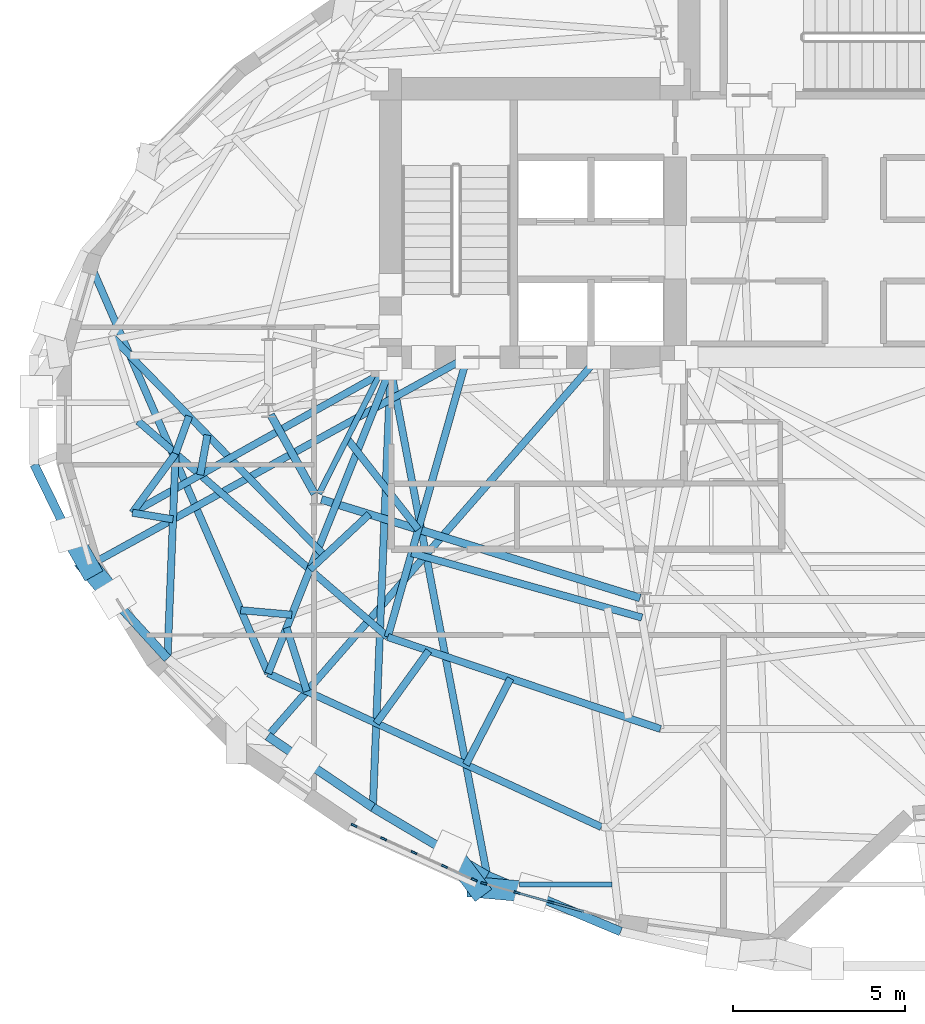
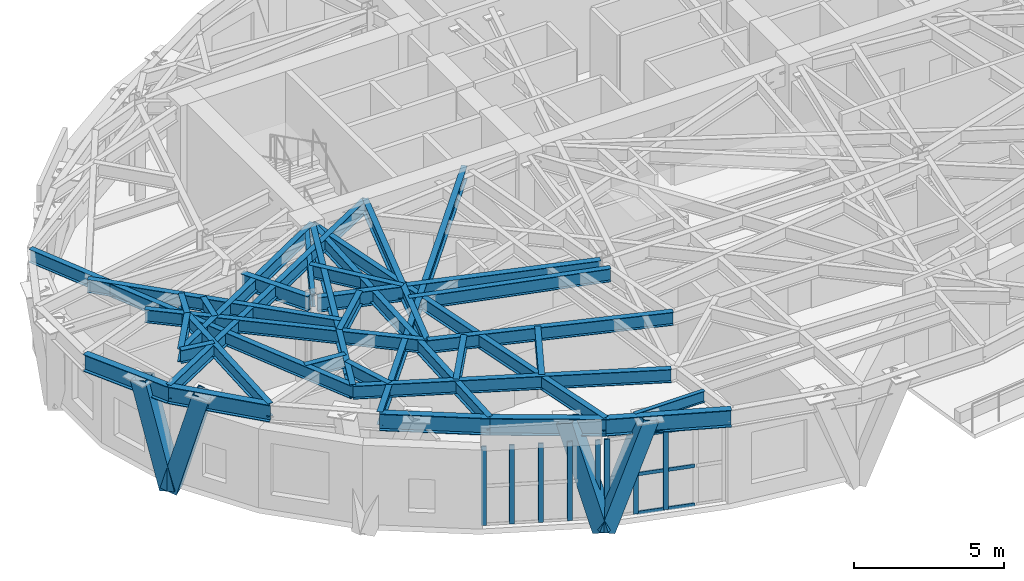
# One storey, part 2 of 15: 33 beams, 18 members, 2 elements without a shape of their own.
"""IFC4 building model written with IfcOpenShell, lengths in metres."""

from ifc_helpers import new_model, si_unit, direction, frame, origin, origin_2d, place, context, subcontext, project, spatial, rectangle, hollow_rectangle, i_section, extrude, material, layer, layer_set, material_profile, profile_set, type_object, element, aggregate, save


model = new_model("IFC4")

# Units and contexts
model_context = context("Model", 3, precision=1e-05, world=origin(), true_north=direction((0.0, 1.0)))
body_context = subcontext(model_context, "Body", "Model", "MODEL_VIEW")
ifc_project = project(units=[si_unit("LENGTHUNIT", "METRE"), si_unit("AREAUNIT", "SQUARE_METRE"), si_unit("VOLUMEUNIT", "CUBIC_METRE"), si_unit("PLANEANGLEUNIT", "RADIAN"), si_unit("MASSUNIT", "GRAM", prefix="KILO")], contexts=[model_context])

# Site, building, storey
site_placement = place(None, origin())
site = spatial("IfcSite", under=ifc_project, at=site_placement, CompositionType="ELEMENT")
building_placement = place(site_placement, origin())
building = spatial("IfcBuilding", under=site, at=building_placement, Name="Keldmark Tower", CompositionType="ELEMENT")
storey_placement = place(building_placement, frame((0.0, 0.0, 205.89990234375)))
storey = spatial("IfcBuildingStorey", under=building, at=storey_placement, Name="L57", CompositionType="ELEMENT", Elevation=205.89990234375)

# Beam
ifc_material_1 = material(Name="Steel ASTM A992 Grade 50", Category="steel")
ifc_material_profile_1 = material_profile(ifc_material_1, i_section(OverallWidth=0.153076171875, OverallDepth=0.455078125, WebThickness=0.008056640625, FlangeThickness=0.01318359375, at=origin_2d()), Name="W18X40")
ifc_profile_set_1 = profile_set([ifc_material_profile_1], Name="Steel ASTM A992 Grade 50")
beam_type_1 = type_object("IfcBeamType", Name="Composite Floor Joist W18X40", PredefinedType="JOIST", material=ifc_profile_set_1)
beam_1_placement = place(storey_placement, frame((-9.725830078125, -13.800048828125, 3.692626953125), z_axis=(1.0, 0.0, 0.0), x_axis=(0.0, 1.0, 0.0)))
element("IfcBeam", 1, at=beam_1_placement, inside=storey, type_object=beam_type_1, Name="L57 Composite Floor Joist J01", PredefinedType="JOIST", context=body_context, shape_type="SweptSolid", body=[
    extrude(i_section(OverallWidth=0.153076171875, OverallDepth=0.455078125, WebThickness=0.008056640625, FlangeThickness=0.01318359375, at=origin_2d()), origin(), (0.0, 0.0, 1.0), 2.688232421875),
])

# Curtain wall, members
ifc_material_2 = material(Name="Unitized Thermally Broken Aluminum and Triple Low-E Glazing", Category="aluminium")
ifc_layer = layer(ifc_material_2, 0.219970703125)
ifc_layer_set = layer_set([ifc_layer], Name="Unitized Thermally Broken Aluminum and Triple Low-E Glazing")
curtain_wall_type = type_object("IfcCurtainWallType", Name="Sky Lobby Amenity Curtain Wall System", PredefinedType="NOTDEFINED", material=ifc_layer_set)
curtain_wall_1_placement = place(storey_placement, origin())
curtain_wall_1 = element("IfcCurtainWall", 2, at=curtain_wall_1_placement, inside=storey, type_object=curtain_wall_type, Name="L57 Sky Lobby Amenity Curtain Wall System CW-L57-22", PredefinedType="NOTDEFINED")
ifc_material_3 = material(Name="Extruded Aluminum Alloy 6063-T6", Category="aluminium")
ifc_material_profile_2 = material_profile(ifc_material_3, rectangle(XDim=0.06005859375, YDim=0.139892578125, at=origin_2d()), Name="CWT60X140")
ifc_profile_set_2 = profile_set([ifc_material_profile_2], Name="Extruded Aluminum Alloy 6063-T6")
member_type_1 = type_object("IfcMemberType", Name="Curtain Wall Horizontal Transom 60x140", PredefinedType="USERDEFINED", material=ifc_profile_set_2)
member_1_placement = place(storey_placement, frame((-7.85546875, -14.58447265625, 0.030029296875), z_axis=(-0.962716803513, 0.270511286702, 0.0), x_axis=(-0.270511286702, -0.962716803513, 0.0)))
member_1 = element("IfcMember", 3, at=member_1_placement, type_object=member_type_1, Name="CW transom 2.1", ObjectType="TRANSOM", PredefinedType="USERDEFINED", context=body_context, shape_type="SweptSolid", body=[
    extrude(rectangle(XDim=0.06005859375, YDim=0.139892578125, at=origin_2d()), origin(), (0.0, 0.0, 1.0), 0.965576171875),
])
member_2_placement = place(storey_placement, frame((-7.85546875, -14.58447265625, 1.607666015625), z_axis=(-0.962716803513, 0.270511286702, 0.0), x_axis=(-0.270511286702, -0.962716803513, 0.0)))
member_2 = element("IfcMember", 4, at=member_2_placement, type_object=member_type_1, Name="CW transom 2.2", ObjectType="TRANSOM", PredefinedType="USERDEFINED", context=body_context, shape_type="SweptSolid", body=[
    extrude(rectangle(XDim=0.06005859375, YDim=0.139892578125, at=origin_2d()), origin(), (0.0, 0.0, 1.0), 0.965576171875),
])
member_3_placement = place(storey_placement, frame((-7.85546875, -14.58447265625, 3.18505859375), z_axis=(-0.962716803513, 0.270511286702, 0.0), x_axis=(-0.270511286702, -0.962716803513, 0.0)))
member_3 = element("IfcMember", 5, at=member_3_placement, type_object=member_type_1, Name="CW transom 2.3", ObjectType="TRANSOM", PredefinedType="USERDEFINED", context=body_context, shape_type="SweptSolid", body=[
    extrude(rectangle(XDim=0.06005859375, YDim=0.139892578125, at=origin_2d()), origin(), (0.0, 0.0, 1.0), 0.965576171875),
])
member_4_placement = place(storey_placement, frame((-8.843017578125, -14.30712890625, 0.030029296875), z_axis=(-0.962716803513, 0.270511286702, 0.0), x_axis=(-0.270511286702, -0.962716803513, 0.0)))
member_4 = element("IfcMember", 6, at=member_4_placement, type_object=member_type_1, Name="CW transom 3.1", ObjectType="TRANSOM", PredefinedType="USERDEFINED", context=body_context, shape_type="SweptSolid", body=[
    extrude(rectangle(XDim=0.06005859375, YDim=0.139892578125, at=origin_2d()), origin(), (0.0, 0.0, 1.0), 0.965576171875),
])
member_5_placement = place(storey_placement, frame((-8.843017578125, -14.30712890625, 1.607666015625), z_axis=(-0.962716803513, 0.270511286702, 0.0), x_axis=(-0.270511286702, -0.962716803513, 0.0)))
member_5 = element("IfcMember", 7, at=member_5_placement, type_object=member_type_1, Name="CW transom 3.2", ObjectType="TRANSOM", PredefinedType="USERDEFINED", context=body_context, shape_type="SweptSolid", body=[
    extrude(rectangle(XDim=0.06005859375, YDim=0.139892578125, at=origin_2d()), origin(), (0.0, 0.0, 1.0), 0.965576171875),
])
member_6_placement = place(storey_placement, frame((-8.843017578125, -14.30712890625, 3.18505859375), z_axis=(-0.962716803513, 0.270511286702, 0.0), x_axis=(-0.270511286702, -0.962716803513, 0.0)))
member_6 = element("IfcMember", 8, at=member_6_placement, type_object=member_type_1, Name="CW transom 3.3", ObjectType="TRANSOM", PredefinedType="USERDEFINED", context=body_context, shape_type="SweptSolid", body=[
    extrude(rectangle(XDim=0.06005859375, YDim=0.139892578125, at=origin_2d()), origin(), (0.0, 0.0, 1.0), 0.965576171875),
])

curtain_wall_2_placement = place(storey_placement, origin())
curtain_wall_2 = element("IfcCurtainWall", 9, at=curtain_wall_2_placement, inside=storey, type_object=curtain_wall_type, Name="L57 Sky Lobby Amenity Curtain Wall System CW-L57-21", PredefinedType="NOTDEFINED")
ifc_material_4 = material(Name="Extruded Aluminum Alloy 6063-T6", Category="aluminium")
ifc_material_profile_3 = material_profile(ifc_material_4, rectangle(XDim=0.06005859375, YDim=0.179931640625, at=origin_2d()), Name="CWM60X180")
ifc_profile_set_3 = profile_set([ifc_material_profile_3], Name="Extruded Aluminum Alloy 6063-T6")
member_type_2 = type_object("IfcMemberType", Name="Curtain Wall Structural Mullion 60x180", PredefinedType="MULLION", material=ifc_profile_set_3)
member_7_placement = place(storey_placement, frame((-11.047607421875, -13.663818359375, 0.0), z_axis=(0.0, 0.0, 1.0), x_axis=(-0.412692715658, -0.910870310441, 0.0)))
member_7 = element("IfcMember", 10, at=member_7_placement, type_object=member_type_2, Name="CW mullion 1", PredefinedType="MULLION", context=body_context, shape_type="SweptSolid", body=[
    extrude(rectangle(XDim=0.06005859375, YDim=0.179931640625, at=origin_2d()), origin(), (0.0, 0.0, 1.0), 3.215087890625),
])
member_8_placement = place(storey_placement, frame((-11.906005859375, -13.27490234375, 0.0), z_axis=(0.0, 0.0, 1.0), x_axis=(-0.412692715658, -0.910870310441, 0.0)))
member_8 = element("IfcMember", 11, at=member_8_placement, type_object=member_type_2, Name="CW mullion 2", PredefinedType="MULLION", context=body_context, shape_type="SweptSolid", body=[
    extrude(rectangle(XDim=0.06005859375, YDim=0.179931640625, at=origin_2d()), origin(), (0.0, 0.0, 1.0), 3.215087890625),
])
member_9_placement = place(storey_placement, frame((-12.791748046875, -12.87353515625, 0.0), z_axis=(0.0, 0.0, 1.0), x_axis=(-0.412692715658, -0.910870310441, 0.0)))
member_9 = element("IfcMember", 12, at=member_9_placement, type_object=member_type_2, Name="CW mullion 3", PredefinedType="MULLION", context=body_context, shape_type="SweptSolid", body=[
    extrude(rectangle(XDim=0.06005859375, YDim=0.179931640625, at=origin_2d()), origin(), (0.0, 0.0, 1.0), 3.215087890625),
])
member_10_placement = place(storey_placement, frame((-13.677490234375, -12.472412109375, 0.0), z_axis=(0.0, 0.0, 1.0), x_axis=(-0.412692715658, -0.910870310441, 0.0)))
member_10 = element("IfcMember", 13, at=member_10_placement, type_object=member_type_2, Name="CW mullion 4", PredefinedType="MULLION", context=body_context, shape_type="SweptSolid", body=[
    extrude(rectangle(XDim=0.06005859375, YDim=0.179931640625, at=origin_2d()), origin(), (0.0, 0.0, 1.0), 3.215087890625),
])
member_11_placement = place(storey_placement, frame((-14.535888671875, -12.08349609375, 0.0), z_axis=(0.0, 0.0, 1.0), x_axis=(-0.412692715658, -0.910870310441, 0.0)))
member_11 = element("IfcMember", 14, at=member_11_placement, type_object=member_type_2, Name="CW mullion 5", PredefinedType="MULLION", context=body_context, shape_type="SweptSolid", body=[
    extrude(rectangle(XDim=0.06005859375, YDim=0.179931640625, at=origin_2d()), origin(), (0.0, 0.0, 1.0), 3.215087890625),
])
aggregate(curtain_wall_2, [member_7, member_8, member_9, member_10, member_11])

# Member
member_12_placement = place(storey_placement, frame((-8.81396484375, -14.315185546875, 0.0), z_axis=(0.0, 0.0, 1.0), x_axis=(-0.270401844243, -0.962747548753, 0.0)))
member_12 = element("IfcMember", 15, at=member_12_placement, type_object=member_type_2, Name="CW mullion 3", PredefinedType="MULLION", context=body_context, shape_type="SweptSolid", body=[
    extrude(rectangle(XDim=0.06005859375, YDim=0.179931640625, at=origin_2d()), origin(), (0.0, 0.0, 1.0), 3.215087890625),
])

member_13_placement = place(storey_placement, frame((-9.801513671875, -14.037841796875, 0.0), z_axis=(0.0, 0.0, 1.0), x_axis=(-0.270401844243, -0.962747548753, 0.0)))
member_13 = element("IfcMember", 16, at=member_13_placement, type_object=member_type_2, Name="CW mullion 4", PredefinedType="MULLION", context=body_context, shape_type="SweptSolid", body=[
    extrude(rectangle(XDim=0.06005859375, YDim=0.179931640625, at=origin_2d()), origin(), (0.0, 0.0, 1.0), 3.215087890625),
])

member_14_placement = place(storey_placement, frame((-10.76025390625, -13.7685546875, 0.0), z_axis=(0.0, 0.0, 1.0), x_axis=(-0.270401844243, -0.962747548753, 0.0)))
member_14 = element("IfcMember", 17, at=member_14_placement, type_object=member_type_2, Name="CW mullion 5", PredefinedType="MULLION", context=body_context, shape_type="SweptSolid", body=[
    extrude(rectangle(XDim=0.06005859375, YDim=0.179931640625, at=origin_2d()), origin(), (0.0, 0.0, 1.0), 3.215087890625),
])

aggregate(curtain_wall_1, [member_12, member_13, member_14, member_1, member_2, member_3, member_4, member_5, member_6])

# Members
ifc_material_5 = material(Name="Steel ASTM A572 Grade 50", Category="steel")
ifc_material_profile_4 = material_profile(ifc_material_5, hollow_rectangle(XDim=0.60009765625, YDim=0.60009765625, WallThickness=0.034912109375, at=origin_2d()), Name="BOX600X600X35")
ifc_profile_set_4 = profile_set([ifc_material_profile_4], Name="Steel ASTM A572 Grade 50")
member_type_3 = type_object("IfcMemberType", Name="Diagrid Zone 4 Brace BOX600X600X35", PredefinedType="BRACE", material=ifc_profile_set_4)
member_15_placement = place(storey_placement, frame((-22.237060546875, -4.58056640625, -0.2998046875), z_axis=(-0.130911744924, 0.232323868239, 0.963788221181), x_axis=(-0.871207439334, -0.490915061542, 0.0)))
element("IfcMember", 18, at=member_15_placement, inside=storey, type_object=member_type_3, Name="L57 Perimeter Diagrid Brace 09A", PredefinedType="BRACE", context=body_context, shape_type="SweptSolid", body=[
    extrude(hollow_rectangle(XDim=0.60009765625, YDim=0.60009765625, WallThickness=0.034912109375, at=origin_2d()), origin(), (0.0, 0.0, 1.0), 4.25390625),
])
member_16_placement = place(storey_placement, frame((-22.2392578125, -4.569091796875, -0.2998046875), z_axis=(0.172510938945, -0.209592193928, 0.962450564023), x_axis=(0.77210085274, 0.635500018252, 0.0)))
element("IfcMember", 19, at=member_16_placement, inside=storey, type_object=member_type_3, Name="L57 Perimeter Diagrid Brace 09B", PredefinedType="BRACE", context=body_context, shape_type="SweptSolid", body=[
    extrude(hollow_rectangle(XDim=0.60009765625, YDim=0.60009765625, WallThickness=0.034912109375, at=origin_2d()), origin(), (0.0, 0.0, 1.0), 4.259765625),
])
member_17_placement = place(storey_placement, frame((-10.9453125, -13.887939453125, -0.2998046875), z_axis=(-0.183769105387, 0.245214420082, 0.951892222938), x_axis=(-0.80022192082, -0.599703991516, 0.0)))
element("IfcMember", 20, at=member_17_placement, inside=storey, type_object=member_type_3, Name="L57 Perimeter Diagrid Brace 11A", PredefinedType="BRACE", context=body_context, shape_type="SweptSolid", body=[
    extrude(hollow_rectangle(XDim=0.60009765625, YDim=0.60009765625, WallThickness=0.034912109375, at=origin_2d()), origin(), (0.0, 0.0, 1.0), 4.30712890625),
])
member_18_placement = place(storey_placement, frame((-10.955078125, -13.881591796875, -0.2998046875), z_axis=(0.365343697938, -0.03312744979, 0.930283050715), x_axis=(0.090304276689, 0.995914222015, 0.0)))
element("IfcMember", 21, at=member_18_placement, inside=storey, type_object=member_type_3, Name="L57 Perimeter Diagrid Brace 11B", PredefinedType="BRACE", context=body_context, shape_type="SweptSolid", body=[
    extrude(hollow_rectangle(XDim=0.60009765625, YDim=0.60009765625, WallThickness=0.034912109375, at=origin_2d()), origin(), (0.0, 0.0, 1.0), 4.406982421875),
])

# Beams
ifc_material_6 = material(Name="Steel ASTM A992 Grade 50", Category="steel")
ifc_material_profile_5 = material_profile(ifc_material_6, i_section(OverallWidth=0.22802734375, OverallDepth=0.60302734375, WebThickness=0.010498046875, FlangeThickness=0.014892578125, at=origin_2d()), Name="W24X68")
ifc_profile_set_5 = profile_set([ifc_material_profile_5], Name="Steel ASTM A992 Grade 50")
beam_type_2 = type_object("IfcBeamType", Name="Primary Floor Girder W24X68", PredefinedType="BEAM", material=ifc_profile_set_5)
beam_2_placement = place(storey_placement, frame((-16.957763671875, -0.146484375, 3.61865234375), z_axis=(0.484719680408, -0.874669555561, 0.0), x_axis=(0.874669555561, 0.484719680408, 0.0)))
element("IfcBeam", 22, at=beam_2_placement, inside=storey, type_object=beam_type_2, Name="L57 Floor Ring Girder FG-R07", PredefinedType="BEAM", context=body_context, shape_type="SweptSolid", body=[
    extrude(i_section(OverallWidth=0.22802734375, OverallDepth=0.60302734375, WebThickness=0.010498046875, FlangeThickness=0.014892578125, at=origin_2d()), origin(), (0.0, 0.0, 1.0), 2.627685546875),
])
beam_3_placement = place(storey_placement, frame((-15.482421875, -2.60888671875, 3.61865234375), z_axis=(0.955383255089, -0.295368982622, 0.0), x_axis=(0.295368982622, 0.955383255089, 0.0)))
element("IfcBeam", 23, at=beam_3_placement, inside=storey, type_object=beam_type_2, Name="L57 Floor Ring Girder FG-R08", PredefinedType="BEAM", context=body_context, shape_type="SweptSolid", body=[
    extrude(i_section(OverallWidth=0.22802734375, OverallDepth=0.60302734375, WebThickness=0.010498046875, FlangeThickness=0.014892578125, at=origin_2d()), origin(), (0.0, 0.0, 1.0), 9.69140625),
])
ifc_material_7 = material(Name="Steel ASTM A992 Grade 50", Category="steel")
ifc_material_profile_6 = material_profile(ifc_material_7, i_section(OverallWidth=0.166015625, OverallDepth=0.529052734375, WebThickness=0.009765625, FlangeThickness=0.013671875, at=origin_2d()), Name="W21X50")
ifc_profile_set_6 = profile_set([ifc_material_profile_6], Name="Steel ASTM A992 Grade 50")
beam_type_3 = type_object("IfcBeamType", Name="Radial Tie Girder W21X50", PredefinedType="BEAM", material=ifc_profile_set_6)
beam_4_placement = place(storey_placement, frame((-15.552734375, -2.442626953125, 3.655517578125), z_axis=(0.453004410574, 0.89150827478, 0.0), x_axis=(-0.89150827478, 0.453004410574, 0.0)))
element("IfcBeam", 24, at=beam_4_placement, inside=storey, type_object=beam_type_3, Name="L57 Floor Radial Girder FG-C08", PredefinedType="BEAM", context=body_context, shape_type="SweptSolid", body=[
    extrude(i_section(OverallWidth=0.166015625, OverallDepth=0.529052734375, WebThickness=0.009765625, FlangeThickness=0.013671875, at=origin_2d()), origin(), (0.0, 0.0, 1.0), 3.990234375),
])
ifc_material_8 = material(Name="Steel ASTM A992 Grade 50", Category="steel")
ifc_material_profile_7 = material_profile(ifc_material_8, i_section(OverallWidth=0.2099609375, OverallDepth=0.537109375, WebThickness=0.010986328125, FlangeThickness=0.017333984375, at=origin_2d()), Name="W21X68")
ifc_profile_set_7 = profile_set([ifc_material_profile_7], Name="Steel ASTM A992 Grade 50")
beam_type_4 = type_object("IfcBeamType", Name="Radial Tie Girder W21X68", PredefinedType="BEAM", material=ifc_profile_set_7)
beam_5_placement = place(storey_placement, frame((-14.7392578125, -0.841796875, 3.651611328125), z_axis=(0.617618935056, -0.786477495584, 0.0), x_axis=(0.786477495584, 0.617618935056, 0.0)))
element("IfcBeam", 25, at=beam_5_placement, inside=storey, type_object=beam_type_4, Name="L57 Framing Pin Header PH-002", PredefinedType="BEAM", context=body_context, shape_type="SweptSolid", body=[
    extrude(i_section(OverallWidth=0.2099609375, OverallDepth=0.537109375, WebThickness=0.010986328125, FlangeThickness=0.017333984375, at=origin_2d()), origin(), (0.0, 0.0, 1.0), 3.352783203125),
])
beam_6_placement = place(storey_placement, frame((-11.25, 1.52490234375, 3.651611328125), z_axis=(-0.272717552045, -0.962094141343, 0.0), x_axis=(0.962094141343, -0.272717552045, 0.0)))
element("IfcBeam", 26, at=beam_6_placement, inside=storey, type_object=beam_type_4, Name="L57 Sub-Ring Step Girder STP1-M08", PredefinedType="BEAM", context=body_context, shape_type="SweptSolid", body=[
    extrude(i_section(OverallWidth=0.2099609375, OverallDepth=0.537109375, WebThickness=0.010986328125, FlangeThickness=0.017333984375, at=origin_2d()), origin(), (0.0, 0.0, 1.0), 8.45166015625),
])
beam_7_placement = place(storey_placement, frame((-12.863525390625, -4.1669921875, 3.651611328125), z_axis=(0.96295745563, -0.26965336758, 0.0), x_axis=(0.26965336758, 0.96295745563, 0.0)))
element("IfcBeam", 27, at=beam_7_placement, inside=storey, type_object=beam_type_4, Name="L57 Framing Pin Header PH-003", PredefinedType="BEAM", context=body_context, shape_type="SweptSolid", body=[
    extrude(i_section(OverallWidth=0.2099609375, OverallDepth=0.537109375, WebThickness=0.010986328125, FlangeThickness=0.017333984375, at=origin_2d()), origin(), (0.0, 0.0, 1.0), 6.953369140625),
])
beam_8_placement = place(storey_placement, frame((-20.810791015625, -0.3349609375, 3.651611328125), z_axis=(0.756561937263, -0.653922040525, 0.0), x_axis=(0.653922040525, 0.756561937263, 0.0)))
element("IfcBeam", 28, at=beam_8_placement, inside=storey, type_object=beam_type_4, Name="L57 Perimeter Collector Ring Beam CRG1-M07", PredefinedType="BEAM", context=body_context, shape_type="SweptSolid", body=[
    extrude(i_section(OverallWidth=0.2099609375, OverallDepth=0.537109375, WebThickness=0.010986328125, FlangeThickness=0.017333984375, at=origin_2d()), origin(), (0.0, 0.0, 1.0), 9.590576171875),
])
beam_9_placement = place(storey_placement, frame((-13.554931640625, -6.6064453125, 3.651611328125), z_axis=(0.947526985523, -0.319675791555, 0.0), x_axis=(0.319675791555, 0.947526985523, 0.0)))
element("IfcBeam", 29, at=beam_9_placement, inside=storey, type_object=beam_type_4, Name="L57 Perimeter Collector Ring Beam CRG1-M08", PredefinedType="BEAM", context=body_context, shape_type="SweptSolid", body=[
    extrude(i_section(OverallWidth=0.2099609375, OverallDepth=0.537109375, WebThickness=0.010986328125, FlangeThickness=0.017333984375, at=origin_2d()), origin(), (0.0, 0.0, 1.0), 8.3642578125),
])
beam_10_placement = place(storey_placement, frame((-14.093505859375, -3.0380859375, 3.651611328125), z_axis=(-0.731089654542, -0.682281406035, 0.0), x_axis=(0.682281406035, -0.731089654542, 0.0)))
element("IfcBeam", 30, at=beam_10_placement, inside=storey, type_object=beam_type_4, Name="L57 Framing Pin Header PH-007", PredefinedType="BEAM", context=body_context, shape_type="SweptSolid", body=[
    extrude(i_section(OverallWidth=0.2099609375, OverallDepth=0.537109375, WebThickness=0.010986328125, FlangeThickness=0.017333984375, at=origin_2d()), origin(), (0.0, 0.0, 1.0), 2.36083984375),
])
beam_11_placement = place(storey_placement, frame((-13.47509765625, 1.199951171875, 3.651611328125), z_axis=(-0.372073544814, -0.928203252122, 0.0), x_axis=(0.928203252122, -0.372073544814, 0.0)))
element("IfcBeam", 31, at=beam_11_placement, inside=storey, type_object=beam_type_4, Name="L57 Sub-Ring Step Girder STP2-M08", PredefinedType="BEAM", context=body_context, shape_type="SweptSolid", body=[
    extrude(i_section(OverallWidth=0.2099609375, OverallDepth=0.537109375, WebThickness=0.010986328125, FlangeThickness=0.017333984375, at=origin_2d()), origin(), (0.0, 0.0, 1.0), 9.552978515625),
])
beam_12_placement = place(storey_placement, frame((-17.029541015625, -7.667236328125, 3.651611328125), z_axis=(0.908161629614, -0.418619701516, 0.0), x_axis=(0.418619701516, 0.908161629614, 0.0)))
element("IfcBeam", 32, at=beam_12_placement, inside=storey, type_object=beam_type_4, Name="L57 Perimeter Collector Ring Beam CRG2-M08", PredefinedType="BEAM", context=body_context, shape_type="SweptSolid", body=[
    extrude(i_section(OverallWidth=0.2099609375, OverallDepth=0.537109375, WebThickness=0.010986328125, FlangeThickness=0.017333984375, at=origin_2d()), origin(), (0.0, 0.0, 1.0), 10.66455078125),
])
beam_13_placement = place(storey_placement, frame((-19.722412109375, -1.275634765625, 3.651611328125), z_axis=(0.339467855265, 0.940617656246, 0.0), x_axis=(-0.940617656246, 0.339467855265, 0.0)))
element("IfcBeam", 33, at=beam_13_placement, inside=storey, type_object=beam_type_4, Name="L57 Framing Pin Header PH-018", PredefinedType="BEAM", context=body_context, shape_type="SweptSolid", body=[
    extrude(i_section(OverallWidth=0.2099609375, OverallDepth=0.537109375, WebThickness=0.010986328125, FlangeThickness=0.017333984375, at=origin_2d()), origin(), (0.0, 0.0, 1.0), 1.155029296875),
])
beam_14_placement = place(storey_placement, frame((-15.38818359375, -4.246337890625, 3.651611328125), z_axis=(-0.696878874564, 0.71718884137, 0.0), x_axis=(-0.71718884137, -0.696878874564, 0.0)))
element("IfcBeam", 34, at=beam_14_placement, inside=storey, type_object=beam_type_4, Name="L57 Intermediate Radial Step Girder RT-15M", PredefinedType="BEAM", context=body_context, shape_type="SweptSolid", body=[
    extrude(i_section(OverallWidth=0.2099609375, OverallDepth=0.537109375, WebThickness=0.010986328125, FlangeThickness=0.017333984375, at=origin_2d()), origin(), (0.0, 0.0, 1.0), 8.895263671875),
])
beam_15_placement = place(storey_placement, frame((-17.029541015625, -7.667236328125, 3.651611328125), z_axis=(-0.398715434405, 0.917074698357, 0.0), x_axis=(-0.917074698357, -0.398715434405, 0.0)))
element("IfcBeam", 35, at=beam_15_placement, inside=storey, type_object=beam_type_4, Name="L57 Perimeter Radial Tie Girder RT-15", PredefinedType="BEAM", context=body_context, shape_type="SweptSolid", body=[
    extrude(i_section(OverallWidth=0.2099609375, OverallDepth=0.537109375, WebThickness=0.010986328125, FlangeThickness=0.017333984375, at=origin_2d()), origin(), (0.0, 0.0, 1.0), 13.3779296875),
])
beam_16_placement = place(storey_placement, frame((-18.797607421875, -0.737548828125, 3.651611328125), z_axis=(-0.177788686582, -0.984068688113, 0.0), x_axis=(0.984068688113, -0.177788686582, 0.0)))
element("IfcBeam", 36, at=beam_16_placement, inside=storey, type_object=beam_type_4, Name="L57 Framing Pin Header PH-020", PredefinedType="BEAM", context=body_context, shape_type="SweptSolid", body=[
    extrude(i_section(OverallWidth=0.2099609375, OverallDepth=0.537109375, WebThickness=0.010986328125, FlangeThickness=0.017333984375, at=origin_2d()), origin(), (0.0, 0.0, 1.0), 1.175537109375),
])
beam_17_placement = place(storey_placement, frame((-13.47509765625, 1.199951171875, 3.651611328125), z_axis=(-0.872735994248, -0.488192466497, 0.0), x_axis=(0.488192466497, -0.872735994248, 0.0)))
element("IfcBeam", 37, at=beam_17_placement, inside=storey, type_object=beam_type_4, Name="L57 Intermediate Radial Step Girder RT-18M", PredefinedType="BEAM", context=body_context, shape_type="SweptSolid", body=[
    extrude(i_section(OverallWidth=0.2099609375, OverallDepth=0.537109375, WebThickness=0.010986328125, FlangeThickness=0.017333984375, at=origin_2d()), origin(), (0.0, 0.0, 1.0), 8.594970703125),
])
beam_18_placement = place(storey_placement, frame((-19.722412109375, -1.275634765625, 3.651611328125), z_axis=(-0.588989644432, -0.808140581058, 0.0), x_axis=(0.808140581058, -0.588989644432, 0.0)))
element("IfcBeam", 38, at=beam_18_placement, inside=storey, type_object=beam_type_4, Name="L57 Local Collector Chord RT-18C", PredefinedType="BEAM", context=body_context, shape_type="SweptSolid", body=[
    extrude(i_section(OverallWidth=0.2099609375, OverallDepth=0.537109375, WebThickness=0.010986328125, FlangeThickness=0.017333984375, at=origin_2d()), origin(), (0.0, 0.0, 1.0), 2.12890625),
])
beam_19_placement = place(storey_placement, frame((-17.82958984375, -5.826904296875, 3.651611328125), z_axis=(0.995930727374, -0.090122063188, 0.0), x_axis=(0.090122063188, 0.995930727374, 0.0)))
element("IfcBeam", 39, at=beam_19_placement, inside=storey, type_object=beam_type_4, Name="L57 Framing Pin Header PH-021", PredefinedType="BEAM", context=body_context, shape_type="SweptSolid", body=[
    extrude(i_section(OverallWidth=0.2099609375, OverallDepth=0.537109375, WebThickness=0.010986328125, FlangeThickness=0.017333984375, at=origin_2d()), origin(), (0.0, 0.0, 1.0), 1.489990234375),
])
beam_20_placement = place(storey_placement, frame((-16.496337890625, -6.337158203125, 3.651611328125), z_axis=(0.303889458159, -0.952707298817, 0.0), x_axis=(0.952707298817, 0.303889458159, 0.0)))
element("IfcBeam", 40, at=beam_20_placement, inside=storey, type_object=beam_type_4, Name="L57 Framing Pin Header PH-022", PredefinedType="BEAM", context=body_context, shape_type="SweptSolid", body=[
    extrude(i_section(OverallWidth=0.2099609375, OverallDepth=0.537109375, WebThickness=0.010986328125, FlangeThickness=0.017333984375, at=origin_2d()), origin(), (0.0, 0.0, 1.0), 1.939453125),
])
beam_21_placement = place(storey_placement, frame((-7.425048828125, 1.52490234375, 3.651611328125), z_axis=(-0.657886208942, -0.753117345494, 0.0), x_axis=(0.753117345494, -0.657886208942, 0.0)))
element("IfcBeam", 41, at=beam_21_placement, inside=storey, type_object=beam_type_4, Name="L57 Perimeter Radial Tie Girder RT-20", PredefinedType="BEAM", context=body_context, shape_type="SweptSolid", body=[
    extrude(i_section(OverallWidth=0.2099609375, OverallDepth=0.537109375, WebThickness=0.010986328125, FlangeThickness=0.017333984375, at=origin_2d()), origin(), (0.0, 0.0, 1.0), 14.623046875),
])
beam_22_placement = place(storey_placement, frame((-12.3662109375, -7.007568359375, 3.651611328125), z_axis=(-0.586121097842, -0.810223462178, 0.0), x_axis=(0.810223462178, -0.586121097842, 0.0)))
element("IfcBeam", 42, at=beam_22_placement, inside=storey, type_object=beam_type_4, Name="L57 Framing Pin Header PH-023", PredefinedType="BEAM", context=body_context, shape_type="SweptSolid", body=[
    extrude(i_section(OverallWidth=0.2099609375, OverallDepth=0.537109375, WebThickness=0.010986328125, FlangeThickness=0.017333984375, at=origin_2d()), origin(), (0.0, 0.0, 1.0), 2.600341796875),
])
beam_23_placement = place(storey_placement, frame((-13.47509765625, 1.199951171875, 3.651611328125), z_axis=(-0.040219964571, -0.999190849863, 0.0), x_axis=(0.999190849863, -0.040219964571, 0.0)))
element("IfcBeam", 43, at=beam_23_placement, inside=storey, type_object=beam_type_4, Name="L57 Perimeter Radial Tie Girder RT-21", PredefinedType="BEAM", context=body_context, shape_type="SweptSolid", body=[
    extrude(i_section(OverallWidth=0.2099609375, OverallDepth=0.537109375, WebThickness=0.010986328125, FlangeThickness=0.017333984375, at=origin_2d()), origin(), (0.0, 0.0, 1.0), 12.771484375),
])
beam_24_placement = place(storey_placement, frame((-9.988525390625, -7.809814453125, 3.651611328125), z_axis=(-0.458223960885, -0.888836768856, 0.0), x_axis=(0.888836768856, -0.458223960885, 0.0)))
element("IfcBeam", 44, at=beam_24_placement, inside=storey, type_object=beam_type_4, Name="L57 Framing Pin Header PH-024", PredefinedType="BEAM", context=body_context, shape_type="SweptSolid", body=[
    extrude(i_section(OverallWidth=0.2099609375, OverallDepth=0.537109375, WebThickness=0.010986328125, FlangeThickness=0.017333984375, at=origin_2d()), origin(), (0.0, 0.0, 1.0), 2.820556640625),
])
beam_25_placement = place(storey_placement, frame((-13.47509765625, 1.199951171875, 3.651611328125), z_axis=(0.187138282041, -0.982333580509, 0.0), x_axis=(0.982333580509, 0.187138282041, 0.0)))
element("IfcBeam", 45, at=beam_25_placement, inside=storey, type_object=beam_type_4, Name="L57 Perimeter Radial Tie Girder RT-22", PredefinedType="BEAM", context=body_context, shape_type="SweptSolid", body=[
    extrude(i_section(OverallWidth=0.2099609375, OverallDepth=0.537109375, WebThickness=0.010986328125, FlangeThickness=0.017333984375, at=origin_2d()), origin(), (0.0, 0.0, 1.0), 15.001708984375),
])
beam_26_placement = place(storey_placement, frame((-19.722412109375, -1.275634765625, 3.651611328125), z_axis=(-0.039498891029, -0.999219614303, 0.0), x_axis=(0.999219614303, -0.039498891029, 0.0)))
element("IfcBeam", 46, at=beam_26_placement, inside=storey, type_object=beam_type_4, Name="L57 Straddling Support Chord RT-18RB", PredefinedType="BEAM", context=body_context, shape_type="SweptSolid", body=[
    extrude(i_section(OverallWidth=0.2099609375, OverallDepth=0.537109375, WebThickness=0.010986328125, FlangeThickness=0.017333984375, at=origin_2d()), origin(), (0.0, 0.0, 1.0), 5.964599609375),
])
beam_27_placement = place(storey_placement, frame((-20.976318359375, -2.99609375, 3.651611328125), z_axis=(0.987129919107, -0.159920363941, 0.0), x_axis=(0.159920363941, 0.987129919107, 0.0)))
element("IfcBeam", 47, at=beam_27_placement, inside=storey, type_object=beam_type_4, Name="L57 Framing Pin Header PH-038", PredefinedType="BEAM", context=body_context, shape_type="SweptSolid", body=[
    extrude(i_section(OverallWidth=0.2099609375, OverallDepth=0.537109375, WebThickness=0.010986328125, FlangeThickness=0.017333984375, at=origin_2d()), origin(), (0.0, 0.0, 1.0), 1.19384765625),
])
beam_28_placement = place(storey_placement, frame((-11.25, 1.52490234375, 3.651611328125), z_axis=(-0.875756926072, -0.482752324113, 0.0), x_axis=(0.482752324113, -0.875756926072, 0.0)))
element("IfcBeam", 48, at=beam_28_placement, inside=storey, type_object=beam_type_4, Name="L57 Perimeter Radial Tie Girder RT-18R", PredefinedType="BEAM", context=body_context, shape_type="SweptSolid", body=[
    extrude(i_section(OverallWidth=0.2099609375, OverallDepth=0.537109375, WebThickness=0.010986328125, FlangeThickness=0.017333984375, at=origin_2d()), origin(), (0.0, 0.0, 1.0), 12.690185546875),
])
ifc_material_9 = material(Name="Steel ASTM A992 Grade 50", Category="steel")
ifc_material_profile_8 = material_profile(ifc_material_9, i_section(OverallWidth=0.256103515625, OverallDepth=0.693115234375, WebThickness=0.014404296875, FlangeThickness=0.023681640625, at=origin_2d()), Name="W27X114")
ifc_profile_set_8 = profile_set([ifc_material_profile_8], Name="Steel ASTM A992 Grade 50")
beam_type_5 = type_object("IfcBeamType", Name="Spandrel Ring Beam W27X114", PredefinedType="SPANDREL", material=ifc_profile_set_8)
beam_29_placement = place(storey_placement, frame((-23.833984375, -1.59228515625, 3.573486328125), z_axis=(0.439059769954, -0.898457855666, 0.0), x_axis=(0.898457855666, 0.439059769954, 0.0)))
element("IfcBeam", 49, at=beam_29_placement, inside=storey, type_object=beam_type_5, Name="L57 Perimeter Spandrel Ring Beam SRB-17", PredefinedType="SPANDREL", context=body_context, shape_type="SweptSolid", body=[
    extrude(i_section(OverallWidth=0.256103515625, OverallDepth=0.693115234375, WebThickness=0.014404296875, FlangeThickness=0.023681640625, at=origin_2d()), origin(), (0.0, 0.0, 1.0), 3.34912109375),
])
beam_30_placement = place(storey_placement, frame((-22.363525390625, -4.601318359375, 3.573486328125), z_axis=(0.674316422374, -0.738442524857, 0.0), x_axis=(0.738442524857, 0.674316422374, 0.0)))
element("IfcBeam", 50, at=beam_30_placement, inside=storey, type_object=beam_type_5, Name="L57 Perimeter Spandrel Ring Beam SRB-18", PredefinedType="SPANDREL", context=body_context, shape_type="SweptSolid", body=[
    extrude(i_section(OverallWidth=0.256103515625, OverallDepth=0.693115234375, WebThickness=0.014404296875, FlangeThickness=0.023681640625, at=origin_2d()), origin(), (0.0, 0.0, 1.0), 3.5673828125),
])
beam_31_placement = place(storey_placement, frame((-17.04541015625, -9.488037109375, 3.573486328125), z_axis=(0.827589832786, -0.561333295529, 0.0), x_axis=(0.561333295529, 0.827589832786, 0.0)))
element("IfcBeam", 51, at=beam_31_placement, inside=storey, type_object=beam_type_5, Name="L57 Perimeter Spandrel Ring Beam SRB-20", PredefinedType="SPANDREL", context=body_context, shape_type="SweptSolid", body=[
    extrude(i_section(OverallWidth=0.256103515625, OverallDepth=0.693115234375, WebThickness=0.014404296875, FlangeThickness=0.023681640625, at=origin_2d()), origin(), (0.0, 0.0, 1.0), 3.693359375),
])
beam_32_placement = place(storey_placement, frame((-13.98876953125, -11.561279296875, 3.573486328125), z_axis=(0.85946011514, -0.511202807586, 0.0), x_axis=(0.511202807586, 0.85946011514, 0.0)))
element("IfcBeam", 52, at=beam_32_placement, inside=storey, type_object=beam_type_5, Name="L57 Perimeter Spandrel Ring Beam SRB-21", PredefinedType="SPANDREL", context=body_context, shape_type="SweptSolid", body=[
    extrude(i_section(OverallWidth=0.256103515625, OverallDepth=0.693115234375, WebThickness=0.014404296875, FlangeThickness=0.023681640625, at=origin_2d()), origin(), (0.0, 0.0, 1.0), 3.864013671875),
])
beam_33_placement = place(storey_placement, frame((-10.667724609375, -13.53662109375, 3.573486328125), z_axis=(0.921948168537, -0.387313276988, 0.0), x_axis=(0.387313276988, 0.921948168537, 0.0)))
element("IfcBeam", 53, at=beam_33_placement, inside=storey, type_object=beam_type_5, Name="L57 Perimeter Spandrel Ring Beam SRB-22", PredefinedType="SPANDREL", context=body_context, shape_type="SweptSolid", body=[
    extrude(i_section(OverallWidth=0.256103515625, OverallDepth=0.693115234375, WebThickness=0.014404296875, FlangeThickness=0.023681640625, at=origin_2d()), origin(), (0.0, 0.0, 1.0), 4.212646484375),
])

save(model, "model.ifc")
